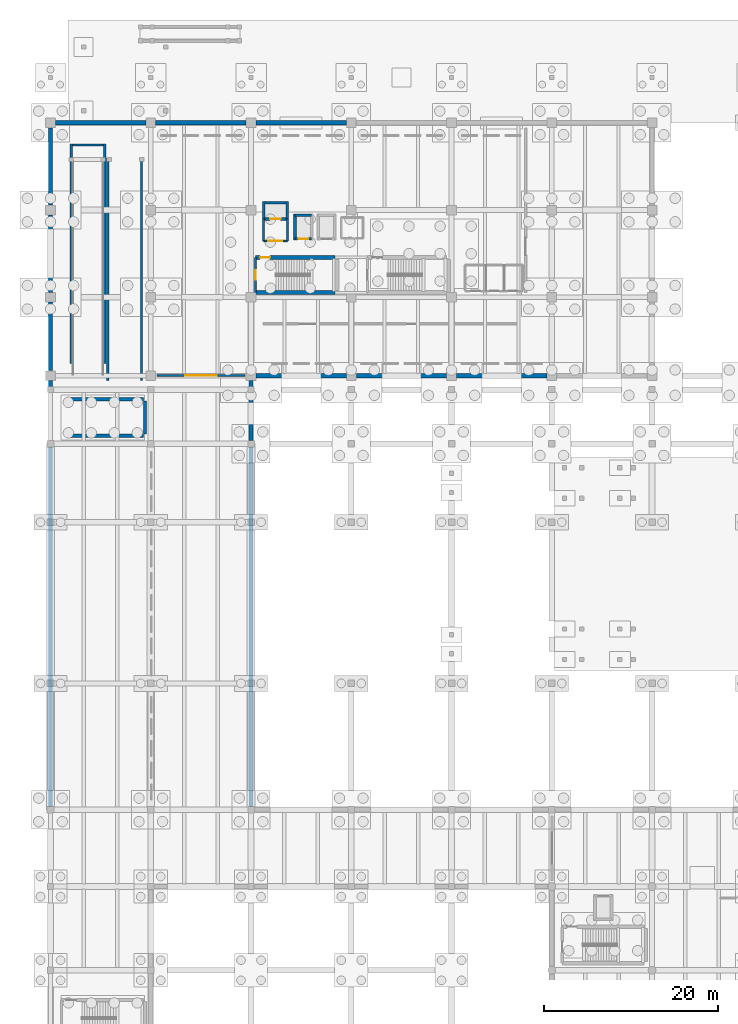
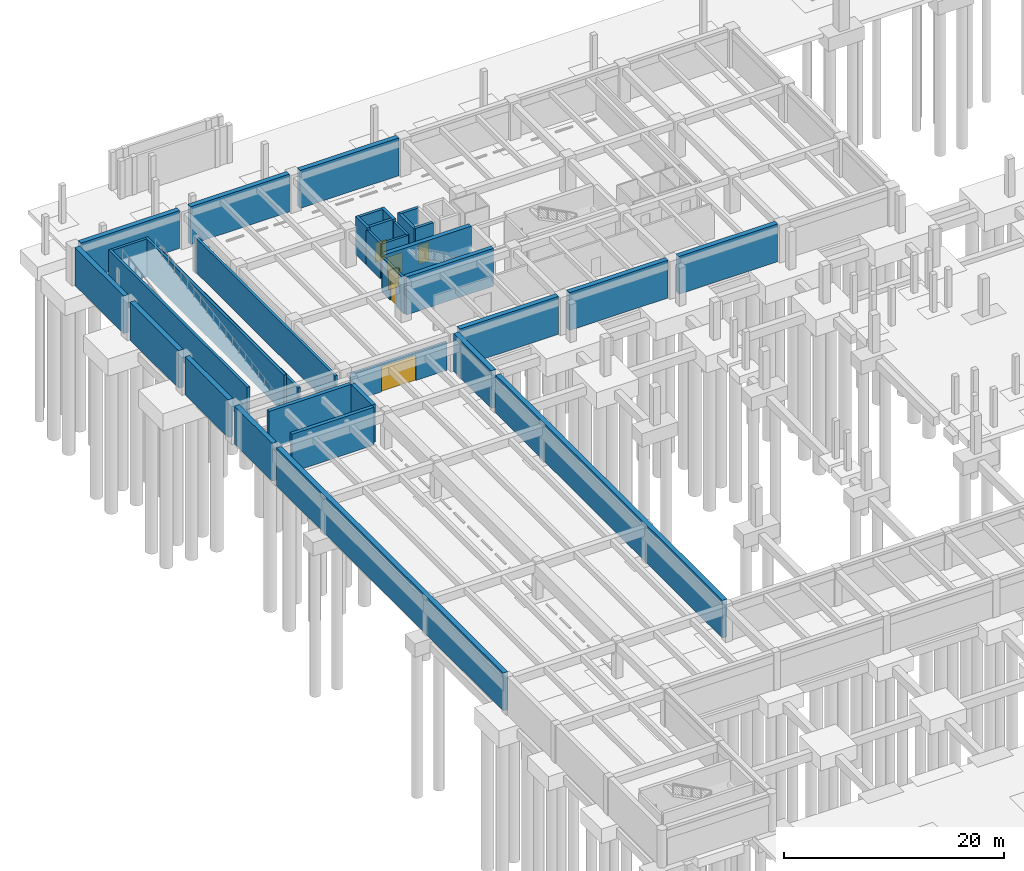
# One storey, part 19 of 28: 35 walls, 6 doors, 6 openings.
"""IFC4 building model written with IfcOpenShell, lengths in metres."""

from ifc_helpers import new_model, si_unit, direction, frame, frame_2d, origin, place, context, subcontext, project, spatial, rectangle, extrude, material, layer, layer_set, type_object, element, fill, save


model = new_model("IFC4")

# Units and contexts
model_context = context("Model", 3, precision=1e-05, world=origin(), true_north=direction((0.0, 1.0)))
body_context = subcontext(model_context, "Body", "Model", "MODEL_VIEW")
ifc_project = project(units=[si_unit("LENGTHUNIT", "METRE"), si_unit("AREAUNIT", "SQUARE_METRE"), si_unit("VOLUMEUNIT", "CUBIC_METRE"), si_unit("PLANEANGLEUNIT", "RADIAN"), si_unit("MASSUNIT", "GRAM", prefix="KILO")], contexts=[model_context])

# Site, building, storey
site_placement = place(None, origin())
site = spatial("IfcSite", under=ifc_project, at=site_placement, CompositionType="ELEMENT")
building_placement = place(site_placement, origin())
building = spatial("IfcBuilding", under=site, at=building_placement, Name="Ologun Quay Terminus", CompositionType="ELEMENT")
storey_placement = place(building_placement, frame((0.0, 0.0, -8.39990234375)))
storey = spatial("IfcBuildingStorey", under=building, at=storey_placement, Name="B02", CompositionType="ELEMENT", Elevation=-8.39990234375)

# Walls
ifc_material_1 = material(Name="Concrete C35/45", Category="concrete")
ifc_layer_1 = layer(ifc_material_1, 0.5)
ifc_layer_set_1 = layer_set([ifc_layer_1], Name="Concrete C35/45")
wall_type_1 = type_object("IfcWallType", Name="Basement Perimeter Retaining Wall 500", PredefinedType="SHEAR", material=ifc_layer_set_1)
wall_1_placement = place(storey_placement, frame((0.0, 36.39501953125, 0.0), z_axis=(0.0, 0.0, 1.0), x_axis=(0.0, 1.0, 0.0)))
element("IfcWall", 1, at=wall_1_placement, inside=storey, type_object=wall_type_1, Name="Retaining Wall WG-Y4 B02", PredefinedType="SHEAR", context=body_context, shape_type="SweptSolid", body=[
    extrude(rectangle(XDim=41.2099609375, YDim=0.5, at=frame_2d((20.60498046875, 0.0))), origin(), (0.0, 0.0, 1.0), 4.199951171875),
])
wall_2_placement = place(storey_placement, frame((0.0, 78.39501953125, 0.0), z_axis=(0.0, 0.0, 1.0), x_axis=(0.0, 1.0, 0.0)))
element("IfcWall", 2, at=wall_2_placement, inside=storey, type_object=wall_type_1, Name="Retaining Wall WG-Y5 B02", PredefinedType="SHEAR", context=body_context, shape_type="SweptSolid", body=[
    extrude(rectangle(XDim=6.8349609375, YDim=0.5, at=frame_2d((3.41748046875, 0.0))), origin(), (0.0, 0.0, 1.0), 4.199951171875),
])
wall_3_placement = place(storey_placement, frame((0.0, 86.3701171875, 0.0), z_axis=(0.0, 0.0, 1.0), x_axis=(0.0, 1.0, 0.0)))
element("IfcWall", 3, at=wall_3_placement, inside=storey, type_object=wall_type_1, Name="Retaining Wall WG-Y6 B02", PredefinedType="SHEAR", context=body_context, shape_type="SweptSolid", body=[
    extrude(rectangle(XDim=7.85986328125, YDim=0.5, at=frame_2d((3.929931640625, 0.0))), origin(), (0.0, 0.0, 1.0), 4.199951171875),
])
for number, where, z_axis, x_axis, name in (
    (4, (0.0, 95.3701171875, 0.0), (0.0, 0.0, 1.0), (0.0, 1.0, 0.0), "Retaining Wall WG-Y7 B02"),
    (5, (0.0, 105.3701171875, 0.0), (0.0, 0.0, 1.0), (0.0, 1.0, 0.0), "Retaining Wall WG-Y8 B02"),
):
    element("IfcWall", number, at=place(storey_placement, frame(where, z_axis=z_axis, x_axis=x_axis)), inside=storey, type_object=wall_type_1, Name=name, PredefinedType="SHEAR", context=body_context, shape_type="SweptSolid", body=[
        extrude(rectangle(XDim=8.85986328125, YDim=0.5, at=frame_2d((4.429931640625, 0.0))), origin(), (0.0, 0.0, 1.0), 4.199951171875),
    ])
wall_4_placement = place(storey_placement, frame((23.0, 36.39501953125, 0.0), z_axis=(0.0, 0.0, 1.0), x_axis=(0.0, 1.0, 0.0)))
element("IfcWall", 6, at=wall_4_placement, inside=storey, type_object=wall_type_1, Name="Retaining Wall TW-Y1 B02", PredefinedType="SHEAR", context=body_context, shape_type="SweptSolid", body=[
    extrude(rectangle(XDim=41.2099609375, YDim=0.5, at=frame_2d((20.60498046875, 0.0))), origin(), (0.0, 0.0, 1.0), 4.199951171875),
])
wall_5_placement = place(storey_placement, frame((23.0, 78.39501953125, 0.0), z_axis=(0.0, 0.0, 1.0), x_axis=(0.0, 1.0, 0.0)))
element("IfcWall", 7, at=wall_5_placement, inside=storey, type_object=wall_type_1, Name="Retaining Wall TW-Y2 B02", PredefinedType="SHEAR", context=body_context, shape_type="SweptSolid", body=[
    extrude(rectangle(XDim=6.8349609375, YDim=0.5, at=frame_2d((3.41748046875, 0.0))), origin(), (0.0, 0.0, 1.0), 4.199951171875),
])
for number, where, z_axis, x_axis, name in (
    (8, (23.570068359375, 85.800048828125, 0.0), (0.0, 0.0, 1.0), (1.0, 0.0, 0.0), "Retaining Wall TNW-3 B02"),
    (9, (35.070068359375, 85.800048828125, 0.0), (0.0, 0.0, 1.0), (1.0, 0.0, 0.0), "Retaining Wall TNW-4 B02"),
    (10, (46.570068359375, 85.800048828125, 0.0), (0.0, 0.0, 1.0), (1.0, 0.0, 0.0), "Retaining Wall TNW-5 B02"),
    (11, (0.570068359375, 114.800048828125, 0.0), (0.0, 0.0, 1.0), (1.0, 0.0, 0.0), "Retaining Wall NW-1 B02"),
    (12, (12.070068359375, 114.800048828125, 0.0), (0.0, 0.0, 1.0), (1.0, 0.0, 0.0), "Retaining Wall NW-2 B02"),
    (13, (23.570068359375, 114.800048828125, 0.0), (0.0, 0.0, 1.0), (1.0, 0.0, 0.0), "Retaining Wall NW-3 B02"),
):
    element("IfcWall", number, at=place(storey_placement, frame(where, z_axis=z_axis, x_axis=x_axis)), inside=storey, type_object=wall_type_1, Name=name, PredefinedType="SHEAR", context=body_context, shape_type="SweptSolid", body=[
        extrude(rectangle(XDim=10.35986328125, YDim=0.5, at=frame_2d((5.179931640625, 0.0))), origin(), (0.0, 0.0, 1.0), 4.199951171875),
    ])
ifc_material_2 = material(Name="Concrete C45/55", Category="concrete")
ifc_layer_2 = layer(ifc_material_2, 0.449951171875)
ifc_layer_set_2 = layer_set([ifc_layer_2], Name="Concrete C45/55")
wall_type_2 = type_object("IfcWallType", Name="Coupled Wing Primary Core Shear Wall 450", PredefinedType="SHEAR", material=ifc_layer_set_2)
wall_6_placement = place(storey_placement, frame((23.5, 95.324951171875, 0.0), z_axis=(0.0, 0.0, 1.0), x_axis=(1.0, 0.0, 0.0)))
element("IfcWall", 14, at=wall_6_placement, inside=storey, type_object=wall_type_2, Name="WC1 Core South Shear Wall B02", PredefinedType="SHEAR", context=body_context, shape_type="SweptSolid", body=[
    extrude(rectangle(XDim=9.14990234375, YDim=0.449951171875, at=frame_2d((4.574951171875, 0.0))), origin(), (0.0, 0.0, 1.0), 4.199951171875),
])

# Wall, opening, door
wall_7_placement = place(storey_placement, frame((23.5, 99.375, 0.0), z_axis=(0.0, 0.0, 1.0), x_axis=(1.0, 0.0, 0.0)))
wall_7 = element("IfcWall", 15, at=wall_7_placement, inside=storey, type_object=wall_type_2, Name="WC1 Core North Shear Wall B02", PredefinedType="SHEAR", context=body_context, shape_type="SweptSolid", body=[
    extrude(rectangle(XDim=9.14990234375, YDim=0.449951171875, at=frame_2d((4.574951171875, 0.0))), origin(), (0.0, 0.0, 1.0), 4.199951171875),
])
opening_1_placement = place(wall_7_placement, frame((0.550048828125, 0.0, 0.0)))
opening_1 = element("IfcOpeningElement", 16, at=opening_1_placement, cuts=wall_7, Name="Opening ID-067", PredefinedType="OPENING", context=body_context, shape_type="SweptSolid", body=[
    extrude(rectangle(XDim=1.1298828125, YDim=2.14990234375, at=frame_2d((0.56494140625, 1.074951171875))), frame((0.0, 0.23486328125, 0.0), z_axis=(0.0, -1.0, 0.0), x_axis=(1.0, 0.0, 0.0)), (0.0, 0.0, 1.0), 0.469970703125),
])
ifc_material_3 = material(Name="Steel S355", Category="steel")
door_type_1 = type_object("IfcDoorType", Name="Stairwell Fire Escape Door 1130x2150", OperationType="SINGLE_SWING_LEFT", PredefinedType="DOOR", material=ifc_material_3)
door_1_placement = place(opening_1_placement, frame((0.56494140625, 0.0, 0.0), z_axis=(0.0, 0.0, 1.0), x_axis=(-1.0, 0.0, 0.0)))
door_1 = element("IfcDoor", 17, at=door_1_placement, inside=storey, type_object=door_type_1, Name="FD-01 Door ID-067", OperationType="SINGLE_SWING_LEFT", OverallHeight=2.14990234375, OverallWidth=1.1298828125, PredefinedType="DOOR", context=body_context, shape_type="SweptSolid", body=[
    extrude(rectangle(XDim=1.1298828125, YDim=2.14990234375, at=frame_2d((0.0, 1.074951171875))), frame((0.0, 0.02490234375, 0.0), z_axis=(0.0, -1.0, 0.0), x_axis=(1.0, 0.0, 0.0)), (0.0, 0.0, 1.0), 0.050048828125),
])
fill(opening_1, door_1)

ifc_material_4 = material(Name="Concrete C40/50", Category="concrete")
ifc_layer_3 = layer(ifc_material_4, 0.239990234375)
ifc_layer_set_3 = layer_set([ifc_layer_3], Name="Concrete C40/50")
wall_type_3 = type_object("IfcWallType", Name="Fire Compartment Blockwork Wall 240", PredefinedType="SOLIDWALL", material=ifc_layer_set_3)
wall_8_placement = place(storey_placement, frame((23.5, 95.330078125, 0.0), z_axis=(0.0, 0.0, 1.0), x_axis=(0.0, 1.0, 0.0)))
wall_8 = element("IfcWall", 18, at=wall_8_placement, inside=storey, type_object=wall_type_3, Name="PW-01 Partition WStair1-W", PredefinedType="SOLIDWALL", context=body_context, shape_type="SweptSolid", body=[
    extrude(rectangle(XDim=4.0400390625, YDim=0.239990234375, at=frame_2d((2.02001953125, 0.0))), origin(), (0.0, 0.0, 1.0), 3.89990234375),
])
opening_2_placement = place(wall_8_placement, frame((1.449951171875, 0.0, 0.0)))
opening_2 = element("IfcOpeningElement", 19, at=opening_2_placement, cuts=wall_8, Name="Opening ID-066", PredefinedType="OPENING", context=body_context, shape_type="SweptSolid", body=[
    extrude(rectangle(XDim=1.1298828125, YDim=2.14990234375, at=frame_2d((0.56494140625, 1.074951171875))), frame((0.0, 0.1298828125, 0.0), z_axis=(0.0, -1.0, 0.0), x_axis=(1.0, 0.0, 0.0)), (0.0, 0.0, 1.0), 0.260009765625),
])
door_2_placement = place(opening_2_placement, frame((0.56494140625, 0.0, 0.0), z_axis=(0.0, 0.0, 1.0), x_axis=(-1.0, 0.0, 0.0)))
door_2 = element("IfcDoor", 20, at=door_2_placement, inside=storey, type_object=door_type_1, Name="FD-01 Door ID-066", OperationType="SINGLE_SWING_LEFT", OverallHeight=2.14990234375, OverallWidth=1.1298828125, PredefinedType="DOOR", context=body_context, shape_type="SweptSolid", body=[
    extrude(rectangle(XDim=1.1298828125, YDim=2.14990234375, at=frame_2d((0.0, 1.074951171875))), frame((0.0, 0.02490234375, 0.0), z_axis=(0.0, -1.0, 0.0), x_axis=(1.0, 0.0, 0.0)), (0.0, 0.0, 1.0), 0.050048828125),
])
fill(opening_2, door_2)

wall_9_placement = place(storey_placement, frame((24.419921875, 101.25, 0.0), z_axis=(0.0, 0.0, 1.0), x_axis=(1.0, 0.0, 0.0)))
wall_9 = element("IfcWall", 21, at=wall_9_placement, inside=storey, type_object=wall_type_3, Name="PW-01 Partition WFFL-S", PredefinedType="SOLIDWALL", context=body_context, shape_type="SweptSolid", body=[
    extrude(rectangle(XDim=2.760009765625, YDim=0.239990234375, at=frame_2d((1.3798828125, 0.0))), origin(), (0.0, 0.0, 1.0), 3.89990234375),
])
opening_3_placement = place(wall_9_placement, frame((0.580078125, 0.0, 0.0)))
opening_3 = element("IfcOpeningElement", 22, at=opening_3_placement, cuts=wall_9, Name="Opening ID-070", PredefinedType="OPENING", context=body_context, shape_type="SweptSolid", body=[
    extrude(rectangle(XDim=1.60009765625, YDim=2.14990234375, at=frame_2d((0.800048828125, 1.074951171875))), frame((0.0, 0.1298828125, 0.0), z_axis=(0.0, -1.0, 0.0), x_axis=(1.0, 0.0, 0.0)), (0.0, 0.0, 1.0), 0.260009765625),
])
ifc_material_5 = material(Name="Steel S355", Category="steel")
door_type_2 = type_object("IfcDoorType", Name="Firefighting Lobby Double Smoke Door 1600x2150", OperationType="DOUBLE_DOOR_SINGLE_SWING", PredefinedType="DOOR", material=ifc_material_5)
door_3_placement = place(opening_3_placement, origin())
door_3 = element("IfcDoor", 23, at=door_3_placement, inside=storey, type_object=door_type_2, Name="FD-02 Door ID-070", OperationType="DOUBLE_DOOR_SINGLE_SWING", OverallHeight=2.14990234375, OverallWidth=1.60009765625, PredefinedType="DOOR", context=body_context, shape_type="SweptSolid", body=[
    extrude(rectangle(XDim=1.60009765625, YDim=2.14990234375, at=frame_2d((0.800048828125, 1.074951171875))), frame((0.0, 0.02490234375, 0.0), z_axis=(0.0, -1.0, 0.0), x_axis=(1.0, 0.0, 0.0)), (0.0, 0.0, 1.0), 0.050048828125),
])
fill(opening_3, door_3)

# Walls
for number, where, z_axis, x_axis, name in (
    (24, (24.419921875, 101.25, 0.0), (0.0, 0.0, 1.0), (0.0, 1.0, 0.0), "PW-01 Partition WFFL-W"),
    (25, (27.179931640625, 101.25, 0.0), (0.0, 0.0, 1.0), (0.0, 1.0, 0.0), "PW-01 Partition WFFL-E"),
):
    element("IfcWall", number, at=place(storey_placement, frame(where, z_axis=z_axis, x_axis=x_axis)), inside=storey, type_object=wall_type_3, Name=name, PredefinedType="SOLIDWALL", context=body_context, shape_type="SweptSolid", body=[
        extrude(rectangle(XDim=2.60009765625, YDim=0.239990234375, at=frame_2d((1.300048828125, 0.0))), origin(), (0.0, 0.0, 1.0), 3.89990234375),
    ])

# Wall, opening, door
wall_10_placement = place(storey_placement, frame((12.199951171875, 85.800048828125, 0.0), z_axis=(0.0, 0.0, 1.0), x_axis=(1.0, 0.0, 0.0)))
wall_10 = element("IfcWall", 26, at=wall_10_placement, inside=storey, type_object=wall_type_3, Name="PW-01 Partition B02-WestCPK-Portal", PredefinedType="SOLIDWALL", context=body_context, shape_type="SweptSolid", body=[
    extrude(rectangle(XDim=10.10009765625, YDim=0.239990234375, at=frame_2d((5.050048828125, 0.0))), origin(), (0.0, 0.0, 1.0), 3.119873046875),
])
opening_4_placement = place(wall_10_placement, frame((3.25, 0.0, 0.0)))
opening_4 = element("IfcOpeningElement", 27, at=opening_4_placement, cuts=wall_10, Name="Opening ID-285", PredefinedType="OPENING", context=body_context, shape_type="SweptSolid", body=[
    extrude(rectangle(XDim=3.60009765625, YDim=2.800048828125, at=frame_2d((1.800048828125, 1.39990234375))), frame((0.0, 0.1298828125, 0.0), z_axis=(0.0, -1.0, 0.0), x_axis=(1.0, 0.0, 0.0)), (0.0, 0.0, 1.0), 0.260009765625),
])
ifc_material_6 = material(Name="Steel S355", Category="steel")
door_type_3 = type_object("IfcDoorType", Name="Car Park Chamber Roller Shutter Gate 3600x2800", OperationType="ROLLINGUP", PredefinedType="GATE", material=ifc_material_6)
door_4_placement = place(opening_4_placement, origin())
door_4 = element("IfcDoor", 28, at=door_4_placement, inside=storey, type_object=door_type_3, Name="VD-01 Door ID-285", OperationType="ROLLINGUP", OverallHeight=2.800048828125, OverallWidth=3.60009765625, PredefinedType="GATE", context=body_context, shape_type="SweptSolid", body=[
    extrude(rectangle(XDim=3.60009765625, YDim=2.800048828125, at=frame_2d((1.800048828125, 1.39990234375))), frame((0.0, 0.02490234375, 0.0), z_axis=(0.0, -1.0, 0.0), x_axis=(1.0, 0.0, 0.0)), (0.0, 0.0, 1.0), 0.050048828125),
])
fill(opening_4, door_4)

ifc_material_7 = material(Name="Concrete C40/50", Category="concrete")
ifc_layer_4 = layer(ifc_material_7, 0.300048828125)
ifc_layer_set_4 = layer_set([ifc_layer_4], Name="Concrete C40/50")
wall_type_4 = type_object("IfcWallType", Name="Lift Shaft Structural Shear Wall 300", PredefinedType="SHEAR", material=ifc_layer_set_4)
wall_11_placement = place(storey_placement, frame((24.449951171875, 103.780029296875, 0.0), z_axis=(0.0, 0.0, 1.0), x_axis=(1.0, 0.0, 0.0)))
wall_11 = element("IfcWall", 29, at=wall_11_placement, inside=storey, type_object=wall_type_4, Name="Lift FFL-01 Shaft Wall S B02", PredefinedType="SHEAR", context=body_context, shape_type="SweptSolid", body=[
    extrude(rectangle(XDim=2.699951171875, YDim=0.300048828125, at=frame_2d((1.35009765625, 0.0))), origin(), (0.0, 0.0, 1.0), 4.199951171875),
])
opening_5_placement = place(wall_11_placement, frame((0.75, 0.0, 0.0)))
opening_5 = element("IfcOpeningElement", 30, at=opening_5_placement, cuts=wall_11, Name="Opening ID-001", PredefinedType="OPENING", context=body_context, shape_type="SweptSolid", body=[
    extrude(rectangle(XDim=1.199951171875, YDim=2.14990234375, at=frame_2d((0.60009765625, 1.074951171875))), frame((0.0, 0.16015625, 0.0), z_axis=(0.0, -1.0, 0.0), x_axis=(1.0, 0.0, 0.0)), (0.0, 0.0, 1.0), 0.320068359375),
])
ifc_material_8 = material(Name="Steel S355", Category="steel")
door_type_4 = type_object("IfcDoorType", Name="Firefighting Lift Landing Sliding Door 1200x2150", OperationType="SLIDING_TO_RIGHT", PredefinedType="DOOR", material=ifc_material_8)
door_5_placement = place(opening_5_placement, origin())
door_5 = element("IfcDoor", 31, at=door_5_placement, inside=storey, type_object=door_type_4, Name="LD-02 Door ID-001", OperationType="SLIDING_TO_RIGHT", OverallHeight=2.14990234375, OverallWidth=1.199951171875, PredefinedType="DOOR", context=body_context, shape_type="SweptSolid", body=[
    extrude(rectangle(XDim=1.199951171875, YDim=2.14990234375, at=frame_2d((0.60009765625, 1.074951171875))), frame((0.0, 0.02490234375, 0.0), z_axis=(0.0, -1.0, 0.0), x_axis=(1.0, 0.0, 0.0)), (0.0, 0.0, 1.0), 0.050048828125),
])
fill(opening_5, door_5)

# Walls
wall_12_placement = place(storey_placement, frame((24.449951171875, 105.6201171875, 0.0), z_axis=(0.0, 0.0, 1.0), x_axis=(1.0, 0.0, 0.0)))
element("IfcWall", 32, at=wall_12_placement, inside=storey, type_object=wall_type_4, Name="Lift FFL-01 Shaft Wall N B02", PredefinedType="SHEAR", context=body_context, shape_type="SweptSolid", body=[
    extrude(rectangle(XDim=2.699951171875, YDim=0.300048828125, at=frame_2d((1.35009765625, 0.0))), origin(), (0.0, 0.0, 1.0), 4.199951171875),
])
for number, where, z_axis, x_axis, name in (
    (33, (24.449951171875, 103.6298828125, 0.0), (0.0, 0.0, 1.0), (0.0, 1.0, 0.0), "Lift FFL-01 Shaft Wall W B02"),
    (34, (27.14990234375, 103.6298828125, 0.0), (0.0, 0.0, 1.0), (0.0, 1.0, 0.0), "Lift FFL-01 Shaft Wall E B02"),
):
    element("IfcWall", number, at=place(storey_placement, frame(where, z_axis=z_axis, x_axis=x_axis)), inside=storey, type_object=wall_type_4, Name=name, PredefinedType="SHEAR", context=body_context, shape_type="SweptSolid", body=[
        extrude(rectangle(XDim=2.14013671875, YDim=0.300048828125, at=frame_2d((1.070068359375, 0.0))), origin(), (0.0, 0.0, 1.0), 4.199951171875),
    ])

# Wall, opening, door
wall_13_placement = place(storey_placement, frame((28.050048828125, 101.5, 0.0), z_axis=(0.0, 0.0, 1.0), x_axis=(1.0, 0.0, 0.0)))
wall_13 = element("IfcWall", 35, at=wall_13_placement, inside=storey, type_object=wall_type_4, Name="Lift PL-W1 Shaft Wall S B02", PredefinedType="SHEAR", context=body_context, shape_type="SweptSolid", body=[
    extrude(rectangle(XDim=1.89990234375, YDim=0.300048828125, at=frame_2d((0.949951171875, 0.0))), origin(), (0.0, 0.0, 1.0), 4.199951171875),
])
opening_6_placement = place(wall_13_placement, frame((0.39990234375, 0.0, 0.0)))
opening_6 = element("IfcOpeningElement", 36, at=opening_6_placement, cuts=wall_13, Name="Opening ID-016", PredefinedType="OPENING", context=body_context, shape_type="SweptSolid", body=[
    extrude(rectangle(XDim=1.10009765625, YDim=2.14990234375, at=frame_2d((0.550048828125, 1.074951171875))), frame((0.0, 0.16015625, 0.0), z_axis=(0.0, -1.0, 0.0), x_axis=(1.0, 0.0, 0.0)), (0.0, 0.0, 1.0), 0.320068359375),
])
ifc_material_9 = material(Name="Steel S355", Category="steel")
door_type_5 = type_object("IfcDoorType", Name="Lift Landing Sliding Door 1100x2150", OperationType="SLIDING_TO_LEFT", PredefinedType="DOOR", material=ifc_material_9)
door_6_placement = place(opening_6_placement, origin())
door_6 = element("IfcDoor", 37, at=door_6_placement, inside=storey, type_object=door_type_5, Name="LD-01 Door ID-016", OperationType="SLIDING_TO_LEFT", OverallHeight=2.14990234375, OverallWidth=1.10009765625, PredefinedType="DOOR", context=body_context, shape_type="SweptSolid", body=[
    extrude(rectangle(XDim=1.10009765625, YDim=2.14990234375, at=frame_2d((0.550048828125, 1.074951171875))), frame((0.0, 0.02490234375, 0.0), z_axis=(0.0, -1.0, 0.0), x_axis=(1.0, 0.0, 0.0)), (0.0, 0.0, 1.0), 0.050048828125),
])
fill(opening_6, door_6)

# Walls
wall_14_placement = place(storey_placement, frame((28.050048828125, 104.199951171875, 0.0), z_axis=(0.0, 0.0, 1.0), x_axis=(1.0, 0.0, 0.0)))
element("IfcWall", 38, at=wall_14_placement, inside=storey, type_object=wall_type_4, Name="Lift PL-W1 Shaft Wall N B02", PredefinedType="SHEAR", context=body_context, shape_type="SweptSolid", body=[
    extrude(rectangle(XDim=1.89990234375, YDim=0.300048828125, at=frame_2d((0.949951171875, 0.0))), origin(), (0.0, 0.0, 1.0), 4.199951171875),
])
wall_15_placement = place(storey_placement, frame((28.050048828125, 101.35009765625, 0.0), z_axis=(0.0, 0.0, 1.0), x_axis=(0.0, 1.0, 0.0)))
element("IfcWall", 39, at=wall_15_placement, inside=storey, type_object=wall_type_4, Name="Lift PL-W1 Shaft Wall W B02", PredefinedType="SHEAR", context=body_context, shape_type="SweptSolid", body=[
    extrude(rectangle(XDim=3.0, YDim=0.300048828125, at=frame_2d((1.5, 0.0))), origin(), (0.0, 0.0, 1.0), 4.199951171875),
])
ifc_material_10 = material(Name="Concrete C40/50", Category="concrete")
ifc_layer_5 = layer(ifc_material_10, 0.3798828125)
ifc_layer_set_5 = layer_set([ifc_layer_5], Name="Concrete C40/50")
wall_type_5 = type_object("IfcWallType", Name="Platform Spine Shear Wall 380", PredefinedType="SHEAR", material=ifc_layer_set_5)
for number, where, z_axis, x_axis, name in (
    (40, (2.050048828125, 78.909912109375, 0.0), (0.0, 0.0, 1.0), (1.0, 0.0, 0.0), "Station Core 5 S Shear Wall B02"),
    (41, (2.050048828125, 83.090087890625, 0.0), (0.0, 0.0, 1.0), (1.0, 0.0, 0.0), "Station Core 5 N Shear Wall B02"),
):
    element("IfcWall", number, at=place(storey_placement, frame(where, z_axis=z_axis, x_axis=x_axis)), inside=storey, type_object=wall_type_5, Name=name, PredefinedType="SHEAR", context=body_context, shape_type="SweptSolid", body=[
        extrude(rectangle(XDim=8.599853515625, YDim=0.3798828125, at=frame_2d((4.2998046875, 0.0))), origin(), (0.0, 0.0, 1.0), 4.199951171875),
    ])
wall_16_placement = place(storey_placement, frame((10.840087890625, 79.10009765625, 0.0), z_axis=(0.0, 0.0, 1.0), x_axis=(0.0, 1.0, 0.0)))
element("IfcWall", 42, at=wall_16_placement, inside=storey, type_object=wall_type_5, Name="Station Core 5 E Shear Wall B02", PredefinedType="SHEAR", context=body_context, shape_type="SweptSolid", body=[
    extrude(rectangle(XDim=3.7998046875, YDim=0.3798828125, at=frame_2d((1.89990234375, 0.0))), origin(), (0.0, 0.0, 1.0), 4.199951171875),
])
ifc_material_11 = material(Name="Concrete C40/50", Category="concrete")
ifc_layer_6 = layer(ifc_material_11, 0.27001953125)
ifc_layer_set_6 = layer_set([ifc_layer_6], Name="Concrete C40/50")
wall_type_6 = type_object("IfcWallType", Name="Vehicle Ramp Bay Structural Wall 270", PredefinedType="SHEAR", material=ifc_layer_set_6)
for number, where, z_axis, x_axis, name in (
    (43, (2.364990234375, 87.199951171875, 0.0), (0.0, 0.0, 1.0), (0.0, 1.0, 0.0), "SW-RMP Vehicle Ramp Wall B02-W"),
    (44, (6.235107421875, 87.199951171875, 0.0), (0.0, 0.0, 1.0), (0.0, 1.0, 0.0), "SW-RMP Vehicle Ramp Wall B02-E"),
):
    element("IfcWall", number, at=place(storey_placement, frame(where, z_axis=z_axis, x_axis=x_axis)), inside=storey, type_object=wall_type_6, Name=name, PredefinedType="SHEAR", context=body_context, shape_type="SweptSolid", body=[
        extrude(rectangle(XDim=25.199951171875, YDim=0.27001953125, at=frame_2d((12.60009765625, 0.0))), origin(), (0.0, 0.0, 1.0), 4.199951171875),
    ])
wall_17_placement = place(storey_placement, frame((2.5, 112.264892578125, 0.0), z_axis=(0.0, 0.0, 1.0), x_axis=(1.0, 0.0, 0.0)))
element("IfcWall", 45, at=wall_17_placement, inside=storey, type_object=wall_type_6, Name="SW-RMP Vehicle Ramp Wall B02-N", PredefinedType="SHEAR", context=body_context, shape_type="SweptSolid", body=[
    extrude(rectangle(XDim=3.60009765625, YDim=0.27001953125, at=frame_2d((1.800048828125, 0.0))), origin(), (0.0, 0.0, 1.0), 4.199951171875),
])
for number, where, z_axis, x_axis, name in (
    (46, (6.56494140625, 85.25, 0.0), (0.0, 0.0, 1.0), (0.0, 1.0, 0.0), "SW-RMP Vehicle Ramp Wall B02-B01W"),
    (47, (10.43505859375, 85.25, 0.0), (0.0, 0.0, 1.0), (0.0, 1.0, 0.0), "SW-RMP Vehicle Ramp Wall B02-B01E"),
):
    element("IfcWall", number, at=place(storey_placement, frame(where, z_axis=z_axis, x_axis=x_axis)), inside=storey, type_object=wall_type_6, Name=name, PredefinedType="SHEAR", context=body_context, shape_type="SweptSolid", body=[
        extrude(rectangle(XDim=25.5, YDim=0.27001953125, at=frame_2d((12.75, 0.0))), origin(), (0.0, 0.0, 1.0), 3.81982421875),
    ])

save(model, "model.ifc")
